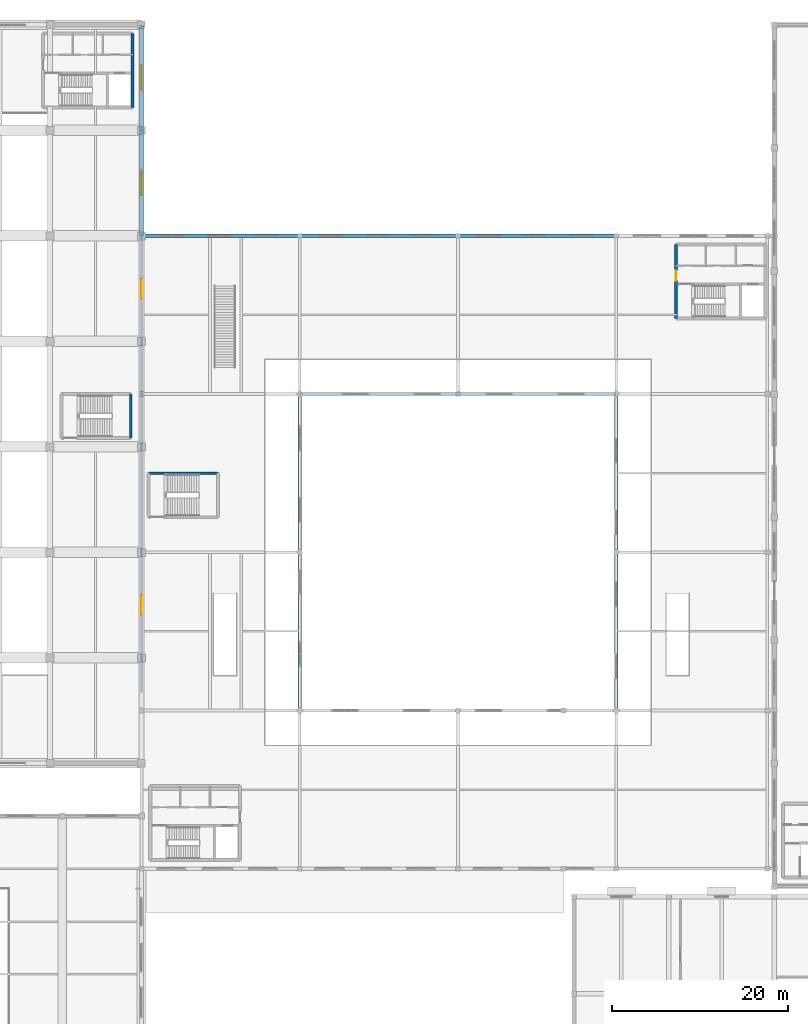
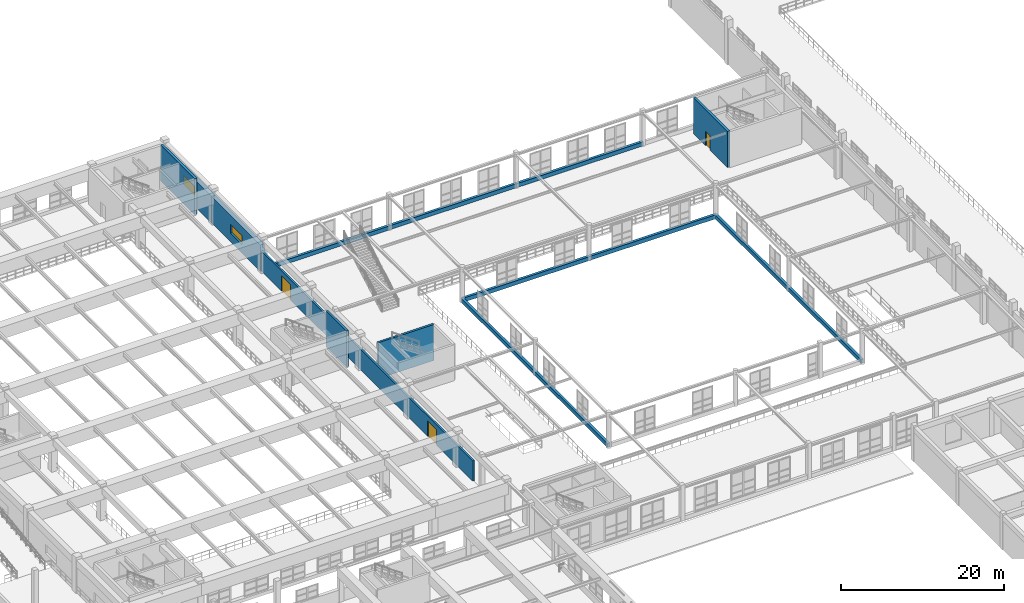
# One storey, part 174 of 197: 13 walls, 3 doors, 2 windows, 5 openings.
"""IFC4 building model written with IfcOpenShell, lengths in metres."""

from ifc_helpers import new_model, si_unit, derived_unit, direction, frame, frame_2d, origin, place, context, subcontext, project, spatial, rectangle, extrude, material, layer, layer_set, type_object, element, fill, save


model = new_model("IFC4")

# Units and contexts
model_context = context("Model", 3, precision=1e-05, world=origin(), true_north=direction((0.0, 1.0)))
body_context = subcontext(model_context, "Body", "Model", "MODEL_VIEW")
ifc_project = project(units=[si_unit("LENGTHUNIT", "METRE"), si_unit("AREAUNIT", "SQUARE_METRE"), si_unit("VOLUMEUNIT", "CUBIC_METRE"), si_unit("PLANEANGLEUNIT", "RADIAN"), si_unit("MASSUNIT", "GRAM", prefix="KILO"), derived_unit("THERMALTRANSMITTANCEUNIT", [(si_unit("POWERUNIT", "WATT"), 1), (si_unit("LENGTHUNIT", "METRE"), -2), (si_unit("THERMODYNAMICTEMPERATUREUNIT", "KELVIN"), -1)])], contexts=[model_context])

# Site, building, storey
site_placement = place(None, origin())
site = spatial("IfcSite", under=ifc_project, at=site_placement, CompositionType="ELEMENT")
building_placement = place(site_placement, origin())
building = spatial("IfcBuilding", under=site, at=building_placement, Name="Almenara Railside Exhibition Hall", CompositionType="ELEMENT")
storey_placement = place(building_placement, frame((0.0, 0.0, 5.39990234375)))
storey = spatial("IfcBuildingStorey", under=building, at=storey_placement, Name="L01", CompositionType="ELEMENT", Elevation=5.39990234375)

# Wall
ifc_material_1 = material(Name="Concrete C35/45", Category="concrete")
ifc_layer_1 = layer(ifc_material_1, 0.35009765625, Name="Concrete C35/45")
ifc_layer_set_1 = layer_set([ifc_layer_1], Name="Concrete C35/45")
wall_type_1 = type_object("IfcWallType", Name="Core Coupled Shear Wall 350mm C35/45", PredefinedType="SHEAR", material=ifc_layer_set_1)
wall_1_placement = place(storey_placement, frame((65.0, 122.60009765625, 0.0), z_axis=(0.0, 0.0, 1.0), x_axis=(0.0, 1.0, 0.0)))
element("IfcWall", 1, at=wall_1_placement, inside=storey, type_object=wall_type_1, Name="Interior wall 0040", PredefinedType="SHEAR", context=body_context, shape_type="SweptSolid", body=[
    extrude(rectangle(XDim=8.39990234375, YDim=0.35009765625, at=frame_2d((4.199951171875, 0.0))), origin(), (0.0, 0.0, 1.0), 5.400146484375),
])

# Wall, opening, door
wall_2_placement = place(storey_placement, frame((126.800048828125, 107.0, 0.0), z_axis=(0.0, 0.0, 1.0), x_axis=(0.0, -1.0, 0.0)))
wall_2 = element("IfcWall", 2, at=wall_2_placement, inside=storey, type_object=wall_type_1, Name="Interior wall 0228", PredefinedType="SHEAR", context=body_context, shape_type="SweptSolid", body=[
    extrude(rectangle(XDim=8.39990234375, YDim=0.35009765625, at=frame_2d((4.199951171875, 0.0))), origin(), (0.0, 0.0, 1.0), 5.400146484375),
])
opening_1_placement = place(wall_2_placement, frame((2.949951171875, 0.0, 0.0)))
opening_1 = element("IfcOpeningElement", 3, at=opening_1_placement, cuts=wall_2, Name="Opening FD-115", PredefinedType="OPENING", context=body_context, shape_type="SweptSolid", body=[
    extrude(rectangle(XDim=1.14990234375, YDim=2.14990234375, at=frame_2d((0.574951171875, 1.074951171875))), frame((0.0, 0.18505859375, 0.0), z_axis=(0.0, -1.0, 0.0), x_axis=(1.0, 0.0, 0.0)), (0.0, 0.0, 1.0), 0.3701171875),
])
ifc_material_2 = material(Name="Fire-rated iroko timber door", Category="wood")
door_type_1 = type_object("IfcDoorType", Name="Core Lobby Fire Door 1150x2150 EI60", OperationType="NOTDEFINED", PredefinedType="DOOR", material=ifc_material_2)
door_1_placement = place(opening_1_placement, origin())
door_1 = element("IfcDoor", 4, at=door_1_placement, inside=storey, type_object=door_type_1, Name="Interior door FD-115-151", OperationType="SINGLE_SWING_LEFT", OverallHeight=2.14990234375, OverallWidth=1.14990234375, PredefinedType="DOOR", context=body_context, shape_type="SweptSolid", body=[
    extrude(rectangle(XDim=1.14990234375, YDim=2.14990234375, at=frame_2d((0.574951171875, 1.074951171875))), frame((0.0, 0.02490234375, 0.0), z_axis=(0.0, -1.0, 0.0), x_axis=(1.0, 0.0, 0.0)), (0.0, 0.0, 1.0), 0.050048828125),
])
fill(opening_1, door_1)

# Walls
ifc_material_3 = material(Name="Ochre-white lime-rendered masonry over Concrete C35/45", Category="masonry")
ifc_layer_2 = layer(ifc_material_3, 0.360107421875, Name="Ochre-white lime-rendered masonry over Concrete C35/45")
ifc_layer_set_2 = layer_set([ifc_layer_2], Name="Ochre-white lime-rendered masonry over Concrete C35/45")
wall_type_2 = type_object("IfcWallType", Name="Exterior Courtyard Galeria Wall 360mm C35/45", PredefinedType="SOLIDWALL", material=ifc_layer_set_2)
for number, where, z_axis, x_axis, name in (
    (5, (84.0, 108.0, 0.0), (0.0, 0.0, 1.0), (-1.0, 0.0, 0.0), "Exterior wall 0143"),
    (6, (102.0, 108.0, 0.0), (0.0, 0.0, 1.0), (-1.0, 0.0, 0.0), "Exterior wall 0149"),
    (7, (120.0, 108.0, 0.0), (0.0, 0.0, 1.0), (-1.0, 0.0, 0.0), "Exterior wall 0155"),
):
    element("IfcWall", number, at=place(storey_placement, frame(where, z_axis=z_axis, x_axis=x_axis)), inside=storey, type_object=wall_type_2, Name=name, PredefinedType="SOLIDWALL", context=body_context, shape_type="SweptSolid", body=[
        extrude(rectangle(XDim=18.0, YDim=0.360107421875, at=frame_2d((9.0, 0.0))), origin(), (0.0, 0.0, 1.0), 0.60009765625),
    ])
for number, where, z_axis, x_axis, name in (
    (8, (120.0, 54.0, 0.0), (0.0, 0.0, 1.0), (0.0, 1.0, 0.0), "Exterior wall 0161"),
    (9, (120.0, 90.0, 0.0), (0.0, 0.0, 1.0), (-1.0, 0.0, 0.0), "Exterior wall 0163"),
    (10, (84.0, 90.0, 0.0), (0.0, 0.0, 1.0), (0.0, -1.0, 0.0), "Exterior wall 0165"),
):
    element("IfcWall", number, at=place(storey_placement, frame(where, z_axis=z_axis, x_axis=x_axis)), inside=storey, type_object=wall_type_2, Name=name, PredefinedType="SOLIDWALL", context=body_context, shape_type="SweptSolid", body=[
        extrude(rectangle(XDim=36.0, YDim=0.360107421875, at=frame_2d((18.0, 0.0))), origin(), (0.0, 0.0, 1.0), 0.60009765625),
    ])

# Wall, opening, window
ifc_layer_3 = layer(ifc_material_3, 0.5400390625, Name="Ochre-white lime-rendered masonry over Concrete C35/45")
ifc_layer_set_3 = layer_set([ifc_layer_3], Name="Ochre-white lime-rendered masonry over Concrete C35/45")
wall_type_3 = type_object("IfcWallType", Name="Exterior West Hall Thermal Wall 540mm C35/45", PredefinedType="SOLIDWALL", material=ifc_layer_set_3)
wall_3_placement = place(storey_placement, frame((66.0, 108.0, 0.0), z_axis=(0.0, 0.0, 1.0), x_axis=(0.0, 1.0, 0.0)))
wall_3 = element("IfcWall", 11, at=wall_3_placement, inside=storey, type_object=wall_type_3, Name="Exterior wall 0047", PredefinedType="SOLIDWALL", context=body_context, shape_type="SweptSolid", body=[
    extrude(rectangle(XDim=12.0, YDim=0.5400390625, at=frame_2d((6.0, 0.0))), origin(), (0.0, 0.0, 1.0), 4.0),
])
opening_2_placement = place(wall_3_placement, frame((4.60009765625, 0.0, 1.300048828125)))
opening_2 = element("IfcOpeningElement", 12, at=opening_2_placement, cuts=wall_3, Name="Opening W-16", PredefinedType="OPENING", context=body_context, shape_type="SweptSolid", body=[
    extrude(rectangle(XDim=2.800048828125, YDim=1.35009765625, at=frame_2d((1.39990234375, 0.675048828125))), frame((0.0, 0.280029296875, 0.0), z_axis=(0.0, -1.0, 0.0), x_axis=(1.0, 0.0, 0.0)), (0.0, 0.0, 1.0), 0.56005859375),
])
ifc_material_4 = material(Name="Bronze-anodised aluminium and low-E double glazing", Category="aluminium")
window_type = type_object("IfcWindowType", Name="Gallery Clerestory Ribbon Window 2800x1350", PartitioningType="TRIPLE_PANEL_HORIZONTAL", PredefinedType="WINDOW", material=ifc_material_4)
window_1_placement = place(opening_2_placement, origin())
window_1 = element("IfcWindow", 13, at=window_1_placement, inside=storey, type_object=window_type, Name="Window 0011", OverallHeight=1.35009765625, OverallWidth=2.800048828125, PartitioningType="TRIPLE_PANEL_HORIZONTAL", PredefinedType="WINDOW", context=body_context, shape_type="SweptSolid", body=[
    extrude(rectangle(XDim=2.800048828125, YDim=1.35009765625, at=frame_2d((1.39990234375, 0.675048828125))), frame((0.0, 0.030029296875, 0.0), z_axis=(0.0, -1.0, 0.0), x_axis=(1.0, 0.0, 0.0)), (0.0, 0.0, 1.0), 0.06005859375),
])
fill(opening_2, window_1)

wall_4_placement = place(storey_placement, frame((66.0, 120.0, 0.0), z_axis=(0.0, 0.0, 1.0), x_axis=(0.0, 1.0, 0.0)))
wall_4 = element("IfcWall", 14, at=wall_4_placement, inside=storey, type_object=wall_type_3, Name="Exterior wall 0053", PredefinedType="SOLIDWALL", context=body_context, shape_type="SweptSolid", body=[
    extrude(rectangle(XDim=12.0, YDim=0.5400390625, at=frame_2d((6.0, 0.0))), origin(), (0.0, 0.0, 1.0), 4.0),
])
opening_3_placement = place(wall_4_placement, frame((4.60009765625, 0.0, 1.300048828125)))
opening_3 = element("IfcOpeningElement", 15, at=opening_3_placement, cuts=wall_4, Name="Opening W-16", PredefinedType="OPENING", context=body_context, shape_type="SweptSolid", body=[
    extrude(rectangle(XDim=2.800048828125, YDim=1.35009765625, at=frame_2d((1.39990234375, 0.675048828125))), frame((0.0, 0.280029296875, 0.0), z_axis=(0.0, -1.0, 0.0), x_axis=(1.0, 0.0, 0.0)), (0.0, 0.0, 1.0), 0.56005859375),
])
window_2_placement = place(opening_3_placement, origin())
window_2 = element("IfcWindow", 16, at=window_2_placement, inside=storey, type_object=window_type, Name="Window 0014", OverallHeight=1.35009765625, OverallWidth=2.800048828125, PartitioningType="TRIPLE_PANEL_HORIZONTAL", PredefinedType="WINDOW", context=body_context, shape_type="SweptSolid", body=[
    extrude(rectangle(XDim=2.800048828125, YDim=1.35009765625, at=frame_2d((1.39990234375, 0.675048828125))), frame((0.0, 0.030029296875, 0.0), z_axis=(0.0, -1.0, 0.0), x_axis=(1.0, 0.0, 0.0)), (0.0, 0.0, 1.0), 0.06005859375),
])
fill(opening_3, window_2)

# Wall, openings, doors
ifc_layer_4 = layer(ifc_material_1, 0.260009765625, Name="Concrete C35/45")
ifc_layer_set_4 = layer_set([ifc_layer_4], Name="Concrete C35/45")
wall_type_4 = type_object("IfcWallType", Name="Hall Fire Division Wall 260mm C35/45", PredefinedType="SOLIDWALL", material=ifc_layer_set_4)
wall_5_placement = place(storey_placement, frame((66.0, 56.0, 0.0), z_axis=(0.0, 0.0, 1.0), x_axis=(0.0, 1.0, 0.0)))
wall_5 = element("IfcWall", 17, at=wall_5_placement, inside=storey, type_object=wall_type_4, Name="Interior wall 0396", PredefinedType="SOLIDWALL", context=body_context, shape_type="SweptSolid", body=[
    extrude(rectangle(XDim=52.0, YDim=0.260009765625, at=frame_2d((26.0, 0.0))), origin(), (0.0, 0.0, 1.0), 3.050048828125),
])
opening_4_placement = place(wall_5_placement, frame((8.89990234375, 0.0, 0.0)))
opening_4 = element("IfcOpeningElement", 18, at=opening_4_placement, cuts=wall_5, Name="Opening FD-22", PredefinedType="OPENING", context=body_context, shape_type="SweptSolid", body=[
    extrude(rectangle(XDim=2.199951171875, YDim=2.300048828125, at=frame_2d((1.10009765625, 1.14990234375))), frame((0.0, 0.139892578125, 0.0), z_axis=(0.0, -1.0, 0.0), x_axis=(1.0, 0.0, 0.0)), (0.0, 0.0, 1.0), 0.280029296875),
])
opening_5_placement = place(wall_5_placement, frame((44.89990234375, 0.0, 0.0)))
opening_5 = element("IfcOpeningElement", 19, at=opening_5_placement, cuts=wall_5, Name="Opening FD-22", PredefinedType="OPENING", context=body_context, shape_type="SweptSolid", body=[
    extrude(rectangle(XDim=2.199951171875, YDim=2.300048828125, at=frame_2d((1.10009765625, 1.14990234375))), frame((0.0, 0.139892578125, 0.0), z_axis=(0.0, -1.0, 0.0), x_axis=(1.0, 0.0, 0.0)), (0.0, 0.0, 1.0), 0.280029296875),
])
ifc_material_5 = material(Name="Steel-framed fire-rated timber door", Category="steel")
door_type_2 = type_object("IfcDoorType", Name="Hall Escape Stair Double Door 2200x2300 EI60", OperationType="NOTDEFINED", PredefinedType="DOOR", material=ifc_material_5)
door_2_placement = place(opening_4_placement, origin())
door_2 = element("IfcDoor", 20, at=door_2_placement, inside=storey, type_object=door_type_2, Name="Interior door FD-22-278", OperationType="DOUBLE_DOOR_SINGLE_SWING", OverallHeight=2.300048828125, OverallWidth=2.199951171875, PredefinedType="DOOR", context=body_context, shape_type="SweptSolid", body=[
    extrude(rectangle(XDim=2.199951171875, YDim=2.300048828125, at=frame_2d((1.10009765625, 1.14990234375))), frame((0.0, 0.02490234375, 0.0), z_axis=(0.0, -1.0, 0.0), x_axis=(1.0, 0.0, 0.0)), (0.0, 0.0, 1.0), 0.050048828125),
])
fill(opening_4, door_2)
door_3_placement = place(opening_5_placement, origin())
door_3 = element("IfcDoor", 21, at=door_3_placement, inside=storey, type_object=door_type_2, Name="Interior door FD-22-279", OperationType="DOUBLE_DOOR_SINGLE_SWING", OverallHeight=2.300048828125, OverallWidth=2.199951171875, PredefinedType="DOOR", context=body_context, shape_type="SweptSolid", body=[
    extrude(rectangle(XDim=2.199951171875, YDim=2.300048828125, at=frame_2d((1.10009765625, 1.14990234375))), frame((0.0, 0.02490234375, 0.0), z_axis=(0.0, -1.0, 0.0), x_axis=(1.0, 0.0, 0.0)), (0.0, 0.0, 1.0), 0.050048828125),
])
fill(opening_5, door_3)

# Walls
ifc_layer_5 = layer(ifc_material_1, 0.300048828125, Name="Concrete C35/45")
ifc_layer_set_5 = layer_set([ifc_layer_5], Name="Concrete C35/45")
wall_type_5 = type_object("IfcWallType", Name="Stair and Lift Shaft Wall 300mm C35/45", PredefinedType="SHEAR", material=ifc_layer_set_5)
wall_6_placement = place(storey_placement, frame((64.800048828125, 85.0, 0.0), z_axis=(0.0, 0.0, 1.0), x_axis=(0.0, 1.0, 0.0)))
element("IfcWall", 22, at=wall_6_placement, inside=storey, type_object=wall_type_5, Name="Interior wall 0295", PredefinedType="SHEAR", context=body_context, shape_type="SweptSolid", body=[
    extrude(rectangle(XDim=5.0, YDim=0.300048828125, at=frame_2d((2.5, 0.0))), origin(), (0.0, 0.0, 1.0), 5.400146484375),
])
wall_7_placement = place(storey_placement, frame((74.699951171875, 81.0, 0.0), z_axis=(0.0, 0.0, 1.0), x_axis=(-1.0, 0.0, 0.0)))
element("IfcWall", 23, at=wall_7_placement, inside=storey, type_object=wall_type_5, Name="Interior wall 0305", PredefinedType="SHEAR", context=body_context, shape_type="SweptSolid", body=[
    extrude(rectangle(XDim=7.89990234375, YDim=0.300048828125, at=frame_2d((3.949951171875, 0.0))), origin(), (0.0, 0.0, 1.0), 5.400146484375),
])

save(model, "model.ifc")
